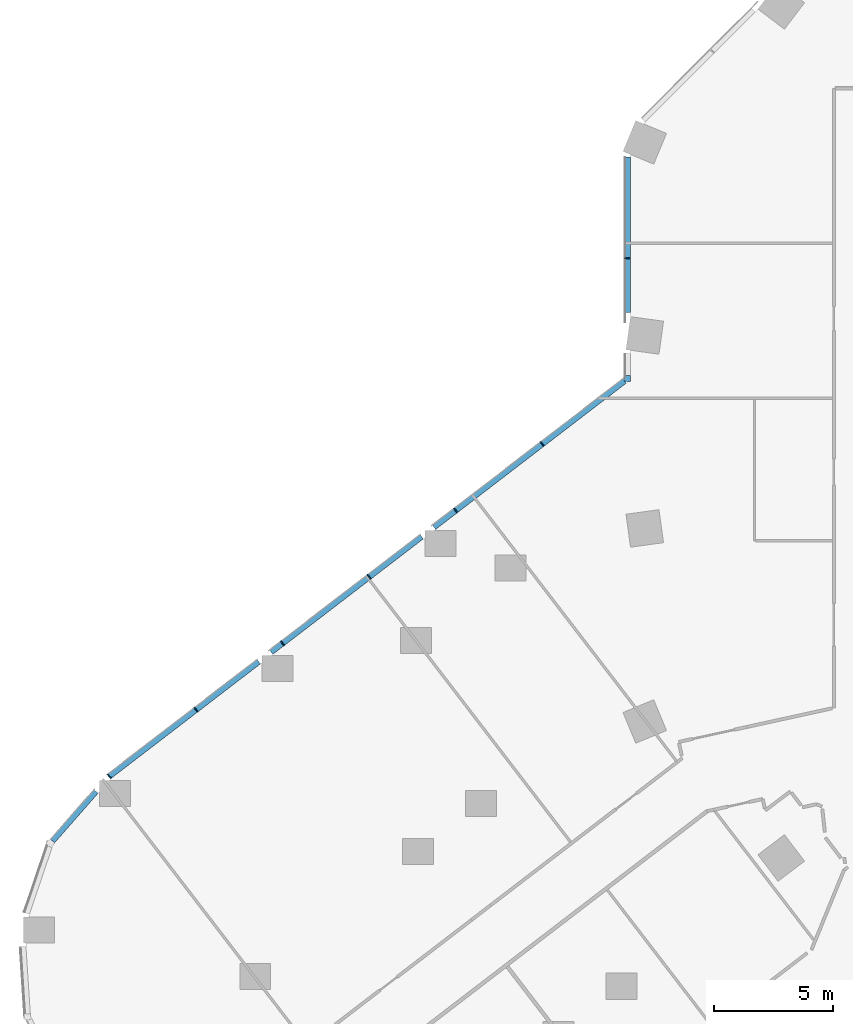
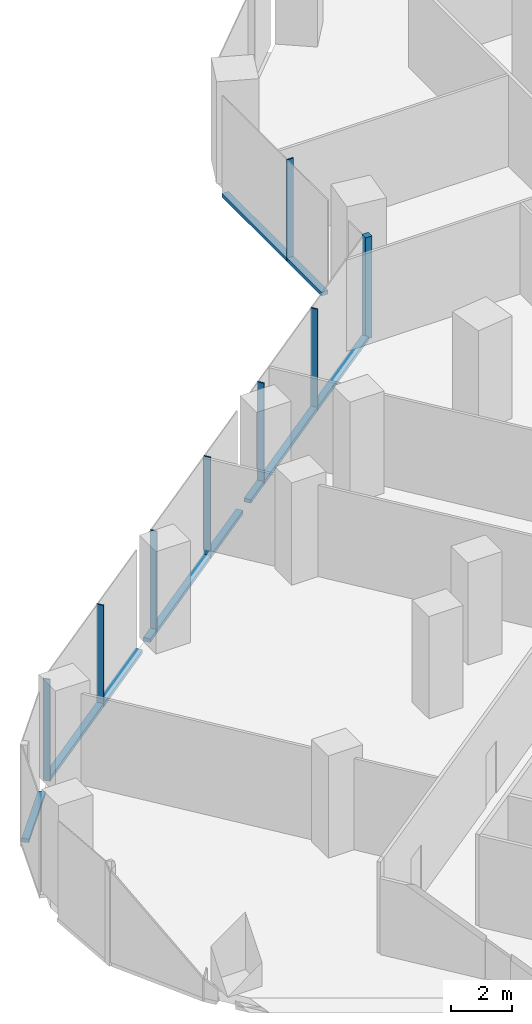
# One storey, part 5 of 29: 13 members, 3 elements without a shape of their own.
"""IFC4 building model written with IfcOpenShell, lengths in metres."""

import ifcopenshell
import ifcopenshell.guid

model = None  # the IFC model being written
_history = None  # IfcOwnerHistory: only IFC2X3 demands one
_inside = {}  # id of a spatial element -> (the spatial element, [elements in it])
_under = {}  # id of a project, library or spatial element -> (it, [spatial elements below it])
_declared = {}  # id of a project -> (the project, [libraries it declares])
_typed = {}  # id of a type object -> (the type object, [elements of that type])
_made_of = {}  # id of a material, layer set ... -> (it, [elements and type objects made of it])


def new_model(schema):
    """Start an empty IFC model of exactly this schema.

    Asked for "IFC4X3", IfcOpenShell would pick the latest addendum, in which some entities
    have other attributes; the version numbers below select the first issue.
    IFC2X3 requires an IfcOwnerHistory on every rooted entity: one is made here for all.
    """
    global model, _history
    if schema == "IFC4X3":
        model = ifcopenshell.file(schema_version=(4, 3, 0, 0))
    else:
        model = ifcopenshell.file(schema=schema)
    _inside.clear()
    _under.clear()
    _declared.clear()
    _typed.clear()
    _made_of.clear()
    _history = None
    if model.schema == "IFC2X3":
        org = make("IfcOrganization", Name="unknown")
        user = make(
            "IfcPersonAndOrganization",
            ThePerson=make("IfcPerson", FamilyName="unknown"),
            TheOrganization=org,
        )
        app = make(
            "IfcApplication",
            ApplicationDeveloper=org,
            Version="unknown",
            ApplicationFullName="unknown",
            ApplicationIdentifier="unknown",
        )
        _history = make(
            "IfcOwnerHistory",
            OwningUser=user,
            OwningApplication=app,
            ChangeAction="ADDED",
            CreationDate=0,
        )
    return model


def make(cls, **values):
    """One entity of the class cls with the attributes given. An attribute that is None is left unset."""
    return model.create_entity(
        cls, **{name: value for name, value in values.items() if value is not None}
    )


def rooted(cls, **values):
    """An entity with a GlobalId (a new one), such as an element, a storey or a relation."""
    return make(cls, GlobalId=ifcopenshell.guid.new(), OwnerHistory=_history, **values)


def si_unit(unit_type, name, prefix=None):
    """IfcSIUnit, for example si_unit("LENGTHUNIT", "METRE", prefix="MILLI")."""
    return make("IfcSIUnit", UnitType=unit_type, Prefix=prefix, Name=name)


def assignment(units):
    """IfcUnitAssignment: the units of a project."""
    return None if units is None else make("IfcUnitAssignment", Units=units)


def point(xyz):
    """IfcCartesianPoint."""
    return None if xyz is None else make("IfcCartesianPoint", Coordinates=xyz)


def direction(xyz):
    """IfcDirection."""
    return None if xyz is None else make("IfcDirection", DirectionRatios=xyz)


def frame(location, z_axis=None, x_axis=None):
    """IfcAxis2Placement3D, a coordinate frame: its origin and axes. An axis left out is left unset."""
    return make(
        "IfcAxis2Placement3D",
        Location=point(location),
        Axis=direction(z_axis),
        RefDirection=direction(x_axis),
    )


def frame_2d(location, x_axis=None):
    """IfcAxis2Placement2D, a coordinate frame in the plane: its origin and x axis."""
    return make(
        "IfcAxis2Placement2D", Location=point(location), RefDirection=direction(x_axis)
    )


def origin():
    """The frame at (0, 0, 0) with its axes left unset."""
    return frame((0.0, 0.0, 0.0))


def origin_2d():
    """The frame at (0, 0) in the plane with its x axis left unset."""
    return frame_2d((0.0, 0.0))


def place(relative_to, where):
    """IfcLocalPlacement: puts the frame where relative to a parent placement (None: the world)."""
    return make(
        "IfcLocalPlacement", PlacementRelTo=relative_to, RelativePlacement=where
    )


def context(
    kind, dimensions, precision=None, world=None, true_north=None, identifier=None
):
    """IfcGeometricRepresentationContext, for example the 3D "Model" context."""
    return make(
        "IfcGeometricRepresentationContext",
        ContextIdentifier=identifier,
        ContextType=kind,
        CoordinateSpaceDimension=dimensions,
        Precision=precision,
        WorldCoordinateSystem=world,
        TrueNorth=true_north,
    )


def subcontext(parent, identifier, kind, view, scale=None):
    """IfcGeometricRepresentationSubContext, for example "Body" below "Model"."""
    return make(
        "IfcGeometricRepresentationSubContext",
        ContextIdentifier=identifier,
        ContextType=kind,
        ParentContext=parent,
        TargetScale=scale,
        TargetView=view,
    )


def project(units=None, contexts=None):
    """IfcProject with its units and contexts."""
    return rooted(
        "IfcProject",
        Name="project",
        RepresentationContexts=contexts,
        UnitsInContext=assignment(units),
    )


def spatial(cls, under=None, at=None, **own):
    """A site, building, storey or space (cls), placed at a placement, below another one or the project."""
    s = rooted(cls, ObjectPlacement=at, **own)
    if under is not None:
        _under.setdefault(under.id(), (under, []))[1].append(s)
    return s


def profile(cls, at=None, kind="AREA", **sizes):
    """A parametric profile (cls). Its sizes go by their IFC names, for example OverallWidth=200.0."""
    return make(cls, ProfileType=kind, Position=at, **sizes)


def rectangle(**sizes):
    """IfcRectangleProfileDef."""
    return profile("IfcRectangleProfileDef", **sizes)


def extrude(swept, where, along, depth):
    """IfcExtrudedAreaSolid: the profile swept, set in the frame where, extruded along a direction by depth."""
    return make(
        "IfcExtrudedAreaSolid",
        SweptArea=swept,
        Position=where,
        ExtrudedDirection=direction(along),
        Depth=depth,
    )


def shape(context_of_items, identifier, shape_type, items):
    """IfcShapeRepresentation: the items that make up one representation, for example the "Body"."""
    return make(
        "IfcShapeRepresentation",
        ContextOfItems=context_of_items,
        RepresentationIdentifier=identifier,
        RepresentationType=shape_type,
        Items=items,
    )


def material(Name=None, Category=None):
    """IfcMaterial."""
    return make("IfcMaterial", Name=Name, Category=Category)


def material_profile(
    of_material, cross_section, Name=None, Category=None, Priority=None
):
    """IfcMaterialProfile: a cross section and its material."""
    return make(
        "IfcMaterialProfile",
        Name=Name,
        Material=of_material,
        Profile=cross_section,
        Priority=Priority,
        Category=Category,
    )


def profile_set(profiles, Name=None, composite=None):
    """IfcMaterialProfileSet."""
    return make(
        "IfcMaterialProfileSet",
        Name=Name,
        MaterialProfiles=profiles,
        CompositeProfile=composite,
    )


def made_of(thing, what):
    """Note that an element or type object is made of a material, layer set ...; save() writes the relation."""
    if what is not None:
        _made_of.setdefault(what.id(), (what, []))[1].append(thing)
    return thing


def type_object(cls, material=None, **own):
    """A type object (cls), such as IfcWallType, which elements share."""
    return made_of(rooted(cls, **own), material)


def element(
    cls,
    number,
    at=None,
    inside=None,
    cuts=None,
    type_object=None,
    material=None,
    context=None,
    identifier="Body",
    shape_type=None,
    held_by="IfcProductDefinitionShape",
    body=None,
    shapes=None,
    **own,
):
    """One element of the class cls, such as IfcWall. Its Tag is "e" and its number.

    at: its placement. inside: the storey or other place that contains it. cuts: it is an
    opening in that element (IfcRelVoidsElement). A single representation is given by context,
    identifier, shape_type and body (its items); several are given by shapes. held_by: the class
    of the entity that holds the representations. save() writes the other relations.
    """
    e = rooted(cls, Tag="e%d" % number, ObjectPlacement=at, **own)
    if body is not None:
        shapes = [shape(context, identifier, shape_type, body)]
    if shapes is not None:
        e.Representation = make(held_by, Representations=shapes)
    if inside is not None:
        _inside.setdefault(inside.id(), (inside, []))[1].append(e)
    if cuts is not None:
        rooted(
            "IfcRelVoidsElement", RelatingBuildingElement=cuts, RelatedOpeningElement=e
        )
    if type_object is not None:
        _typed.setdefault(type_object.id(), (type_object, []))[1].append(e)
    return made_of(e, material)


def aggregate(whole, parts):
    """IfcRelAggregates: a whole, such as a stair, and the parts it consists of."""
    return rooted("IfcRelAggregates", RelatingObject=whole, RelatedObjects=parts)


def save(model, path):
    """Write the relations noted so far, then the file.

    IfcRelAggregates (storeys below a building ...), IfcRelContainedInSpatialStructure (elements
    in a storey), IfcRelDefinesByType, IfcRelAssociatesMaterial and IfcRelDeclares: one each for
    every whole, place, type object, material and project.
    """
    for whole, parts in _under.values():
        aggregate(whole, parts)
    for where, things in _inside.values():
        rooted(
            "IfcRelContainedInSpatialStructure",
            RelatedElements=things,
            RelatingStructure=where,
        )
    for kind, things in _typed.values():
        rooted("IfcRelDefinesByType", RelatedObjects=things, RelatingType=kind)
    for what, things in _made_of.values():
        rooted("IfcRelAssociatesMaterial", RelatedObjects=things, RelatingMaterial=what)
    for by, libraries in _declared.values():
        rooted("IfcRelDeclares", RelatingContext=by, RelatedDefinitions=libraries)
    model.write(path)


model = new_model("IFC4")

# Units and contexts
model_context = context("Model", 3, precision=1e-05, world=origin(), true_north=direction((0.0, 1.0)))
body_context = subcontext(model_context, "Body", "Model", "MODEL_VIEW")
ifc_project = project(units=[si_unit("LENGTHUNIT", "METRE"), si_unit("AREAUNIT", "SQUARE_METRE"), si_unit("VOLUMEUNIT", "CUBIC_METRE"), si_unit("PLANEANGLEUNIT", "RADIAN"), si_unit("MASSUNIT", "GRAM", prefix="KILO")], contexts=[model_context])

# Site, building, storey
site_placement = place(None, origin())
site = spatial("IfcSite", under=ifc_project, at=site_placement, CompositionType="ELEMENT")
building_placement = place(site_placement, origin())
building = spatial("IfcBuilding", under=site, at=building_placement, Name="Orlundy Tower", CompositionType="ELEMENT")
storey_placement = place(building_placement, frame((0.0, 0.0, 29.199951171875)))
storey = spatial("IfcBuildingStorey", under=building, at=storey_placement, Name="L05", CompositionType="ELEMENT", Elevation=29.199951171875)

# Curtain wall, member
ifc_material_1 = material(Name="Aluminium bronze anodised", Category="aluminium")
curtain_wall_type = type_object("IfcCurtainWallType", Name="CW2 wall", PredefinedType="NOTDEFINED", material=ifc_material_1)
curtain_wall_1_placement = place(storey_placement, origin())
curtain_wall_1 = element("IfcCurtainWall", 1, at=curtain_wall_1_placement, inside=storey, type_object=curtain_wall_type, Name="CW2 run 013", PredefinedType="NOTDEFINED")
ifc_material_2 = material(Name="Aluminium bronze anodised", Category="aluminium")
ifc_material_profile_1 = material_profile(ifc_material_2, rectangle(XDim=0.25, YDim=0.25, at=origin_2d()), Name="CW2 corner post 250x250")
ifc_profile_set_1 = profile_set([ifc_material_profile_1], Name="Aluminium bronze anodised")
member_type_1 = type_object("IfcMemberType", Name="CW2 corner post 250x250", PredefinedType="MULLION", material=ifc_profile_set_1)
member_1_placement = place(storey_placement, frame((-30.125, 2.251708984375, -0.39990234375), z_axis=(0.0, 0.0, 1.0), x_axis=(-1.0, 0.0, 0.0)))
member_1 = element("IfcMember", 2, at=member_1_placement, type_object=member_type_1, Name="CW2 mullion 32", PredefinedType="MULLION", context=body_context, shape_type="SweptSolid", body=[
    extrude(rectangle(XDim=0.25, YDim=0.25, at=origin_2d()), origin(), (0.0, 0.0, 1.0), 4.079833984375),
])

# Curtain wall, members
curtain_wall_2_placement = place(storey_placement, origin())
curtain_wall_2 = element("IfcCurtainWall", 3, at=curtain_wall_2_placement, inside=storey, type_object=curtain_wall_type, Name="CW2 run 012", PredefinedType="NOTDEFINED")
ifc_material_3 = material(Name="Aluminium bronze anodised", Category="aluminium")
ifc_material_profile_2 = material_profile(ifc_material_3, rectangle(XDim=0.25, YDim=0.050048828125, at=origin_2d()), Name="CW2 mullion 50x250")
ifc_profile_set_2 = profile_set([ifc_material_profile_2], Name="Aluminium bronze anodised")
member_type_2 = type_object("IfcMemberType", Name="CW2 mullion 50x250", PredefinedType="MULLION", material=ifc_profile_set_2)
member_2_placement = place(storey_placement, frame((-51.928955078125, -14.479248046875, -0.39990234375), z_axis=(0.0, 0.0, 1.0), x_axis=(-0.683605084665, 0.729852100237, 0.0)))
member_2 = element("IfcMember", 4, at=member_2_placement, type_object=member_type_2, Name="CW2 mullion 26", PredefinedType="MULLION", context=body_context, shape_type="SweptSolid", body=[
    extrude(rectangle(XDim=0.25, YDim=0.050048828125, at=origin_2d()), origin(), (0.0, 0.0, 1.0), 4.079833984375),
])
member_3_placement = place(storey_placement, frame((-48.278564453125, -11.67822265625, -0.39990234375), z_axis=(0.0, 0.0, 1.0), x_axis=(-0.608767752232, 0.793348488271, 0.0)))
member_3 = element("IfcMember", 5, at=member_3_placement, type_object=member_type_2, Name="CW2 mullion 27", PredefinedType="MULLION", context=body_context, shape_type="SweptSolid", body=[
    extrude(rectangle(XDim=0.25, YDim=0.050048828125, at=origin_2d()), origin(), (0.0, 0.0, 1.0), 4.079833984375),
])
member_4_placement = place(storey_placement, frame((-44.63818359375, -8.884765625, -0.39990234375), z_axis=(0.0, 0.0, 1.0), x_axis=(-0.608767752232, 0.793348488271, 0.0)))
member_4 = element("IfcMember", 6, at=member_4_placement, type_object=member_type_2, Name="CW2 mullion 28", PredefinedType="MULLION", context=body_context, shape_type="SweptSolid", body=[
    extrude(rectangle(XDim=0.25, YDim=0.050048828125, at=origin_2d()), origin(), (0.0, 0.0, 1.0), 4.079833984375),
])
member_5_placement = place(storey_placement, frame((-40.99755859375, -6.09130859375, -0.39990234375), z_axis=(0.0, 0.0, 1.0), x_axis=(-0.608767752232, 0.793348488271, 0.0)))
member_5 = element("IfcMember", 7, at=member_5_placement, type_object=member_type_2, Name="CW2 mullion 29", PredefinedType="MULLION", context=body_context, shape_type="SweptSolid", body=[
    extrude(rectangle(XDim=0.25, YDim=0.050048828125, at=origin_2d()), origin(), (0.0, 0.0, 1.0), 4.079833984375),
])
member_6_placement = place(storey_placement, frame((-37.357177734375, -3.2978515625, -0.39990234375), z_axis=(0.0, 0.0, 1.0), x_axis=(-0.608767752232, 0.793348488271, 0.0)))
member_6 = element("IfcMember", 8, at=member_6_placement, type_object=member_type_2, Name="CW2 mullion 30", PredefinedType="MULLION", context=body_context, shape_type="SweptSolid", body=[
    extrude(rectangle(XDim=0.25, YDim=0.050048828125, at=origin_2d()), origin(), (0.0, 0.0, 1.0), 4.079833984375),
])
member_7_placement = place(storey_placement, frame((-33.716552734375, -0.50439453125, -0.39990234375), z_axis=(0.0, 0.0, 1.0), x_axis=(-0.608767752232, 0.793348488271, 0.0)))
member_7 = element("IfcMember", 9, at=member_7_placement, type_object=member_type_2, Name="CW2 mullion 31", PredefinedType="MULLION", context=body_context, shape_type="SweptSolid", body=[
    extrude(rectangle(XDim=0.25, YDim=0.050048828125, at=origin_2d()), origin(), (0.0, 0.0, 1.0), 4.079833984375),
])

# Member
member_8_placement = place(storey_placement, frame((-30.125, 7.30810546875, -0.39990234375), z_axis=(0.0, 0.0, 1.0), x_axis=(-1.0, 0.0, 0.0)))
member_8 = element("IfcMember", 10, at=member_8_placement, type_object=member_type_2, Name="CW2 mullion 33", PredefinedType="MULLION", context=body_context, shape_type="SweptSolid", body=[
    extrude(rectangle(XDim=0.25, YDim=0.050048828125, at=origin_2d()), origin(), (0.0, 0.0, 1.0), 4.079833984375),
])

# Curtain wall, member
curtain_wall_3_placement = place(storey_placement, origin())
curtain_wall_3 = element("IfcCurtainWall", 11, at=curtain_wall_3_placement, inside=storey, type_object=curtain_wall_type, Name="CW2 run 011", PredefinedType="NOTDEFINED")
ifc_material_4 = material(Name="Aluminium bronze anodised", Category="aluminium")
ifc_material_profile_3 = material_profile(ifc_material_4, rectangle(XDim=0.25, YDim=0.14990234375, at=origin_2d()), Name="CW2 transom 250x150")
ifc_profile_set_3 = profile_set([ifc_material_profile_3], Name="Aluminium bronze anodised")
member_type_3 = type_object("IfcMemberType", Name="CW2 transom 250x150", PredefinedType="USERDEFINED", material=ifc_profile_set_3)
member_9_placement = place(storey_placement, frame((-54.31494140625, -17.2001953125, -0.324951171875), z_axis=(0.659314701378, 0.751867092342, 0.0), x_axis=(-0.751867092342, 0.659314701378, 0.0)))
member_9 = element("IfcMember", 12, at=member_9_placement, type_object=member_type_3, Name="CW2 transom", ObjectType="TRANSOM", PredefinedType="USERDEFINED", context=body_context, shape_type="SweptSolid", body=[
    extrude(rectangle(XDim=0.25, YDim=0.14990234375, at=origin_2d()), origin(), (0.0, 0.0, 1.0), 2.7724609375),
])
aggregate(curtain_wall_3, [member_9])

# Member
member_10_placement = place(storey_placement, frame((-51.908935546875, -14.464111328125, -0.324951171875), z_axis=(0.793344721473, 0.608772661107, 0.0), x_axis=(-0.608772661107, 0.793344721473, 0.0)))
member_10 = element("IfcMember", 13, at=member_10_placement, type_object=member_type_3, Name="CW2 transom", ObjectType="TRANSOM", PredefinedType="USERDEFINED", context=body_context, shape_type="SweptSolid", body=[
    extrude(rectangle(XDim=0.25, YDim=0.14990234375, at=origin_2d()), origin(), (0.0, 0.0, 1.0), 7.902099609375),
])

member_11_placement = place(storey_placement, frame((-45.119140625, -9.25390625, -0.324951171875), z_axis=(0.793355048081, 0.608759203367, 0.0), x_axis=(-0.608759203367, 0.793355048081, 0.0)))
member_11 = element("IfcMember", 14, at=member_11_placement, type_object=member_type_3, Name="CW2 transom", ObjectType="TRANSOM", PredefinedType="USERDEFINED", context=body_context, shape_type="SweptSolid", body=[
    extrude(rectangle(XDim=0.25, YDim=0.14990234375, at=origin_2d()), origin(), (0.0, 0.0, 1.0), 7.976318359375),
])

member_12_placement = place(storey_placement, frame((-38.26953125, -3.998046875, -0.324951171875), z_axis=(0.793343505861, 0.608774245273, 0.0), x_axis=(-0.608774245273, 0.793343505861, 0.0)))
member_12 = element("IfcMember", 15, at=member_12_placement, type_object=member_type_3, Name="CW2 transom", ObjectType="TRANSOM", PredefinedType="USERDEFINED", context=body_context, shape_type="SweptSolid", body=[
    extrude(rectangle(XDim=0.25, YDim=0.14990234375, at=origin_2d()), origin(), (0.0, 0.0, 1.0), 10.108642578125),
])

aggregate(curtain_wall_2, [member_2, member_3, member_4, member_5, member_6, member_7, member_10, member_11, member_12])

member_13_placement = place(storey_placement, frame((-30.125, 5.01708984375, -0.324951171875), z_axis=(0.0, 1.0, 0.0), x_axis=(-1.0, 0.0, 0.0)))
member_13 = element("IfcMember", 16, at=member_13_placement, type_object=member_type_3, Name="CW2 transom", ObjectType="TRANSOM", PredefinedType="USERDEFINED", context=body_context, shape_type="SweptSolid", body=[
    extrude(rectangle(XDim=0.25, YDim=0.14990234375, at=origin_2d()), origin(), (0.0, 0.0, 1.0), 6.541259765625),
])

aggregate(curtain_wall_1, [member_1, member_8, member_13])

save(model, "model.ifc")
